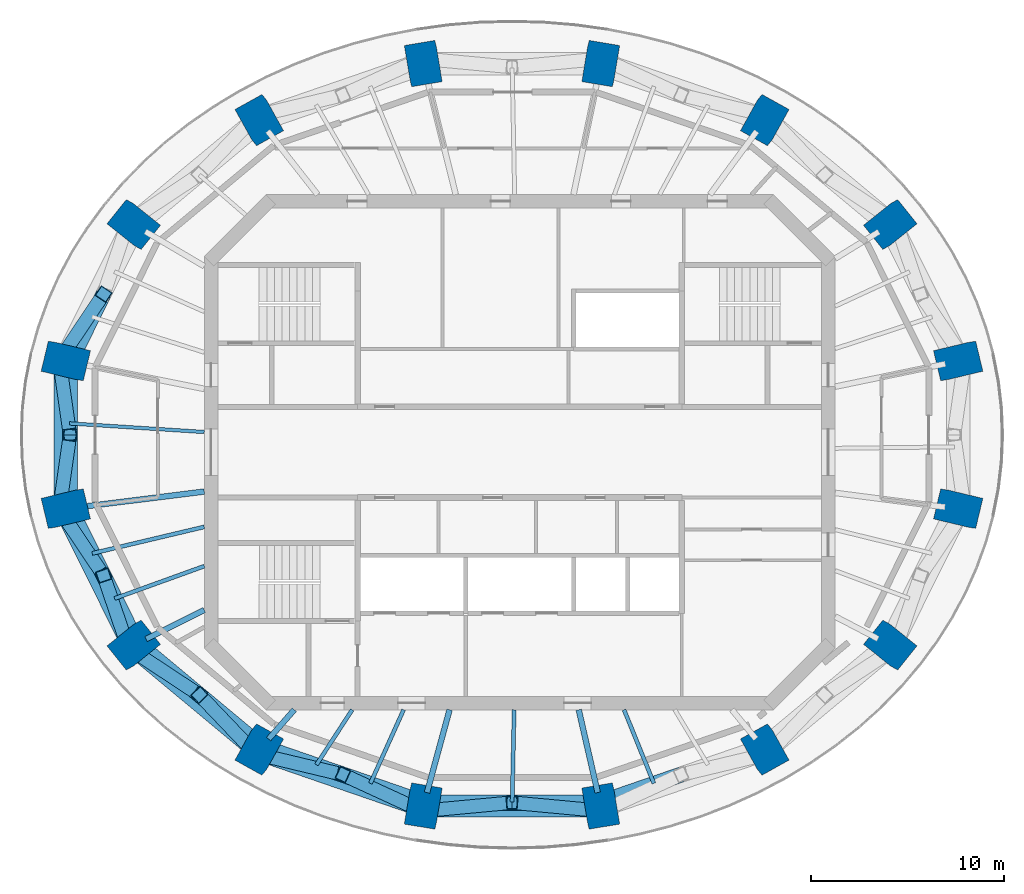
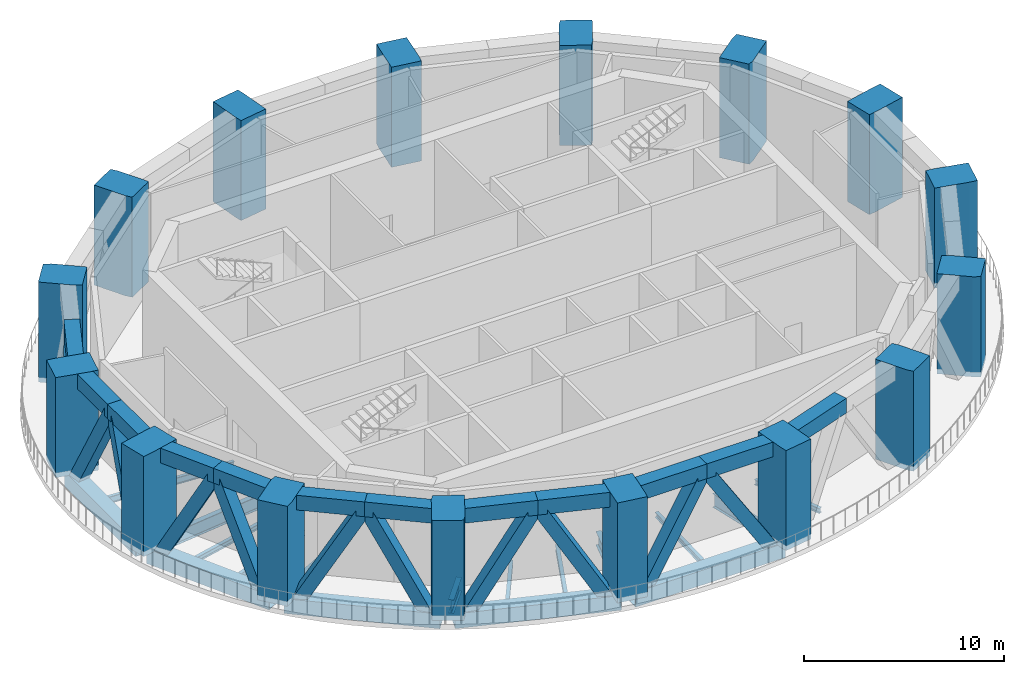
# One storey, part 1 of 9: 28 members, 16 columns, 12 beams.
"""IFC4 building model written with IfcOpenShell, lengths in metres."""

import ifcopenshell
import ifcopenshell.guid

model = None  # the IFC model being written
_history = None  # IfcOwnerHistory: only IFC2X3 demands one
_inside = {}  # id of a spatial element -> (the spatial element, [elements in it])
_under = {}  # id of a project, library or spatial element -> (it, [spatial elements below it])
_declared = {}  # id of a project -> (the project, [libraries it declares])
_typed = {}  # id of a type object -> (the type object, [elements of that type])
_made_of = {}  # id of a material, layer set ... -> (it, [elements and type objects made of it])


def new_model(schema):
    """Start an empty IFC model of exactly this schema.

    Asked for "IFC4X3", IfcOpenShell would pick the latest addendum, in which some entities
    have other attributes; the version numbers below select the first issue.
    IFC2X3 requires an IfcOwnerHistory on every rooted entity: one is made here for all.
    """
    global model, _history
    if schema == "IFC4X3":
        model = ifcopenshell.file(schema_version=(4, 3, 0, 0))
    else:
        model = ifcopenshell.file(schema=schema)
    _inside.clear()
    _under.clear()
    _declared.clear()
    _typed.clear()
    _made_of.clear()
    _history = None
    if model.schema == "IFC2X3":
        org = make("IfcOrganization", Name="unknown")
        user = make(
            "IfcPersonAndOrganization",
            ThePerson=make("IfcPerson", FamilyName="unknown"),
            TheOrganization=org,
        )
        app = make(
            "IfcApplication",
            ApplicationDeveloper=org,
            Version="unknown",
            ApplicationFullName="unknown",
            ApplicationIdentifier="unknown",
        )
        _history = make(
            "IfcOwnerHistory",
            OwningUser=user,
            OwningApplication=app,
            ChangeAction="ADDED",
            CreationDate=0,
        )
    return model


def make(cls, **values):
    """One entity of the class cls with the attributes given. An attribute that is None is left unset."""
    return model.create_entity(
        cls, **{name: value for name, value in values.items() if value is not None}
    )


def rooted(cls, **values):
    """An entity with a GlobalId (a new one), such as an element, a storey or a relation."""
    return make(cls, GlobalId=ifcopenshell.guid.new(), OwnerHistory=_history, **values)


def si_unit(unit_type, name, prefix=None):
    """IfcSIUnit, for example si_unit("LENGTHUNIT", "METRE", prefix="MILLI")."""
    return make("IfcSIUnit", UnitType=unit_type, Prefix=prefix, Name=name)


def assignment(units):
    """IfcUnitAssignment: the units of a project."""
    return None if units is None else make("IfcUnitAssignment", Units=units)


def point(xyz):
    """IfcCartesianPoint."""
    return None if xyz is None else make("IfcCartesianPoint", Coordinates=xyz)


def direction(xyz):
    """IfcDirection."""
    return None if xyz is None else make("IfcDirection", DirectionRatios=xyz)


def frame(location, z_axis=None, x_axis=None):
    """IfcAxis2Placement3D, a coordinate frame: its origin and axes. An axis left out is left unset."""
    return make(
        "IfcAxis2Placement3D",
        Location=point(location),
        Axis=direction(z_axis),
        RefDirection=direction(x_axis),
    )


def frame_2d(location, x_axis=None):
    """IfcAxis2Placement2D, a coordinate frame in the plane: its origin and x axis."""
    return make(
        "IfcAxis2Placement2D", Location=point(location), RefDirection=direction(x_axis)
    )


def origin():
    """The frame at (0, 0, 0) with its axes left unset."""
    return frame((0.0, 0.0, 0.0))


def origin_2d():
    """The frame at (0, 0) in the plane with its x axis left unset."""
    return frame_2d((0.0, 0.0))


def place(relative_to, where):
    """IfcLocalPlacement: puts the frame where relative to a parent placement (None: the world)."""
    return make(
        "IfcLocalPlacement", PlacementRelTo=relative_to, RelativePlacement=where
    )


def context(
    kind, dimensions, precision=None, world=None, true_north=None, identifier=None
):
    """IfcGeometricRepresentationContext, for example the 3D "Model" context."""
    return make(
        "IfcGeometricRepresentationContext",
        ContextIdentifier=identifier,
        ContextType=kind,
        CoordinateSpaceDimension=dimensions,
        Precision=precision,
        WorldCoordinateSystem=world,
        TrueNorth=true_north,
    )


def subcontext(parent, identifier, kind, view, scale=None):
    """IfcGeometricRepresentationSubContext, for example "Body" below "Model"."""
    return make(
        "IfcGeometricRepresentationSubContext",
        ContextIdentifier=identifier,
        ContextType=kind,
        ParentContext=parent,
        TargetScale=scale,
        TargetView=view,
    )


def project(units=None, contexts=None):
    """IfcProject with its units and contexts."""
    return rooted(
        "IfcProject",
        Name="project",
        RepresentationContexts=contexts,
        UnitsInContext=assignment(units),
    )


def spatial(cls, under=None, at=None, **own):
    """A site, building, storey or space (cls), placed at a placement, below another one or the project."""
    s = rooted(cls, ObjectPlacement=at, **own)
    if under is not None:
        _under.setdefault(under.id(), (under, []))[1].append(s)
    return s


def polyline(points):
    """IfcPolyline through the points."""
    return make("IfcPolyline", Points=[point(p) for p in points])


def profile(cls, at=None, kind="AREA", **sizes):
    """A parametric profile (cls). Its sizes go by their IFC names, for example OverallWidth=200.0."""
    return make(cls, ProfileType=kind, Position=at, **sizes)


def rectangle(**sizes):
    """IfcRectangleProfileDef."""
    return profile("IfcRectangleProfileDef", **sizes)


def hollow_rectangle(**sizes):
    """IfcRectangleHollowProfileDef."""
    return profile("IfcRectangleHollowProfileDef", **sizes)


def i_section(**sizes):
    """IfcIShapeProfileDef."""
    return profile("IfcIShapeProfileDef", **sizes)


def outline(outer, holes=None, kind="AREA"):
    """IfcArbitraryClosedProfileDef: a profile drawn as a closed curve; with holes, ...WithVoids."""
    if holes is None:
        return make("IfcArbitraryClosedProfileDef", ProfileType=kind, OuterCurve=outer)
    return make(
        "IfcArbitraryProfileDefWithVoids",
        ProfileType=kind,
        OuterCurve=outer,
        InnerCurves=holes,
    )


def extrude(swept, where, along, depth):
    """IfcExtrudedAreaSolid: the profile swept, set in the frame where, extruded along a direction by depth."""
    return make(
        "IfcExtrudedAreaSolid",
        SweptArea=swept,
        Position=where,
        ExtrudedDirection=direction(along),
        Depth=depth,
    )


def shape(context_of_items, identifier, shape_type, items):
    """IfcShapeRepresentation: the items that make up one representation, for example the "Body"."""
    return make(
        "IfcShapeRepresentation",
        ContextOfItems=context_of_items,
        RepresentationIdentifier=identifier,
        RepresentationType=shape_type,
        Items=items,
    )


def material(Name=None, Category=None):
    """IfcMaterial."""
    return make("IfcMaterial", Name=Name, Category=Category)


def material_profile(
    of_material, cross_section, Name=None, Category=None, Priority=None
):
    """IfcMaterialProfile: a cross section and its material."""
    return make(
        "IfcMaterialProfile",
        Name=Name,
        Material=of_material,
        Profile=cross_section,
        Priority=Priority,
        Category=Category,
    )


def profile_set(profiles, Name=None, composite=None):
    """IfcMaterialProfileSet."""
    return make(
        "IfcMaterialProfileSet",
        Name=Name,
        MaterialProfiles=profiles,
        CompositeProfile=composite,
    )


def made_of(thing, what):
    """Note that an element or type object is made of a material, layer set ...; save() writes the relation."""
    if what is not None:
        _made_of.setdefault(what.id(), (what, []))[1].append(thing)
    return thing


def type_object(cls, material=None, **own):
    """A type object (cls), such as IfcWallType, which elements share."""
    return made_of(rooted(cls, **own), material)


def element(
    cls,
    number,
    at=None,
    inside=None,
    cuts=None,
    type_object=None,
    material=None,
    context=None,
    identifier="Body",
    shape_type=None,
    held_by="IfcProductDefinitionShape",
    body=None,
    shapes=None,
    **own,
):
    """One element of the class cls, such as IfcWall. Its Tag is "e" and its number.

    at: its placement. inside: the storey or other place that contains it. cuts: it is an
    opening in that element (IfcRelVoidsElement). A single representation is given by context,
    identifier, shape_type and body (its items); several are given by shapes. held_by: the class
    of the entity that holds the representations. save() writes the other relations.
    """
    e = rooted(cls, Tag="e%d" % number, ObjectPlacement=at, **own)
    if body is not None:
        shapes = [shape(context, identifier, shape_type, body)]
    if shapes is not None:
        e.Representation = make(held_by, Representations=shapes)
    if inside is not None:
        _inside.setdefault(inside.id(), (inside, []))[1].append(e)
    if cuts is not None:
        rooted(
            "IfcRelVoidsElement", RelatingBuildingElement=cuts, RelatedOpeningElement=e
        )
    if type_object is not None:
        _typed.setdefault(type_object.id(), (type_object, []))[1].append(e)
    return made_of(e, material)


def aggregate(whole, parts):
    """IfcRelAggregates: a whole, such as a stair, and the parts it consists of."""
    return rooted("IfcRelAggregates", RelatingObject=whole, RelatedObjects=parts)


def save(model, path):
    """Write the relations noted so far, then the file.

    IfcRelAggregates (storeys below a building ...), IfcRelContainedInSpatialStructure (elements
    in a storey), IfcRelDefinesByType, IfcRelAssociatesMaterial and IfcRelDeclares: one each for
    every whole, place, type object, material and project.
    """
    for whole, parts in _under.values():
        aggregate(whole, parts)
    for where, things in _inside.values():
        rooted(
            "IfcRelContainedInSpatialStructure",
            RelatedElements=things,
            RelatingStructure=where,
        )
    for kind, things in _typed.values():
        rooted("IfcRelDefinesByType", RelatedObjects=things, RelatingType=kind)
    for what, things in _made_of.values():
        rooted("IfcRelAssociatesMaterial", RelatedObjects=things, RelatingMaterial=what)
    for by, libraries in _declared.values():
        rooted("IfcRelDeclares", RelatingContext=by, RelatedDefinitions=libraries)
    model.write(path)


model = new_model("IFC4")

# Units and contexts
model_context = context("Model", 3, precision=1e-05, world=origin(), true_north=direction((0.0, 1.0)))
body_context = subcontext(model_context, "Body", "Model", "MODEL_VIEW")
ifc_project = project(units=[si_unit("LENGTHUNIT", "METRE"), si_unit("AREAUNIT", "SQUARE_METRE"), si_unit("VOLUMEUNIT", "CUBIC_METRE"), si_unit("PLANEANGLEUNIT", "RADIAN"), si_unit("MASSUNIT", "GRAM", prefix="KILO")], contexts=[model_context])

# Site, building, storey
site_placement = place(None, origin())
site = spatial("IfcSite", under=ifc_project, at=site_placement, CompositionType="ELEMENT")
building_placement = place(site_placement, origin())
building = spatial("IfcBuilding", under=site, at=building_placement, Name="Marenthal Gate Tower", CompositionType="ELEMENT")
storey_placement = place(building_placement, frame((0.0, 0.0, 407.550048828125)))
storey = spatial("IfcBuildingStorey", under=building, at=storey_placement, Name="L92", CompositionType="ELEMENT", Elevation=407.550048828125)

# Columns
ifc_material_1 = material(Name="Steel S460", Category="steel")
ifc_material_profile_1 = material_profile(ifc_material_1, hollow_rectangle(XDim=1.60009765625, YDim=1.800048828125, WallThickness=0.044921875, at=origin_2d()), Name="CFT BOX 1800X1600X45")
ifc_material_2 = material(Name="Concrete 70 MPa", Category="concrete")
ifc_material_profile_2 = material_profile(ifc_material_2, rectangle(XDim=1.510009765625, YDim=1.7099609375, at=origin_2d()), Name="CFT BOX 1800X1600X45 INFILL")
ifc_profile_set_1 = profile_set([ifc_material_profile_1, ifc_material_profile_2], Name="Steel S460 shell, Concrete 70 MPa infill")
column_type = type_object("IfcColumnType", Name="CFT BOX 1800X1600X45", PredefinedType="COLUMN", material=ifc_profile_set_1)
column_1_placement = place(storey_placement, frame((0.0, 0.0, -0.300048828125)))
element("IfcColumn", 1, at=column_1_placement, inside=storey, type_object=column_type, Name="COL-L92-01", PredefinedType="COLUMN", context=body_context, shape_type="SweptSolid", body=[
    extrude(outline(polyline([(21.81982421875, 3.7041015625), (21.44775390625, 5.260498046875), (23.198486328125, 5.678955078125), (23.632080078125, 5.750244140625), (24.004150390625, 4.194091796875), (22.25341796875, 3.775390625), (21.81982421875, 3.7041015625)])), origin(), (0.0, 0.0, 1.0), 6.10009765625),
])
column_2_placement = place(storey_placement, frame((0.0, 0.0, -0.300048828125)))
element("IfcColumn", 2, at=column_2_placement, inside=storey, type_object=column_type, Name="COL-L92-02", PredefinedType="COLUMN", context=body_context, shape_type="SweptSolid", body=[
    extrude(outline(polyline([(18.82080078125, 10.51025390625), (17.81884765625, 11.7578125), (19.22216796875, 12.884765625), (19.589599609375, 13.087646484375), (20.591796875, 11.840087890625), (19.188232421875, 10.712890625), (18.82080078125, 10.51025390625)])), origin(), (0.0, 0.0, 1.0), 6.10009765625),
])
column_3_placement = place(storey_placement, frame((0.0, 0.0, -0.300048828125)))
element("IfcColumn", 3, at=column_3_placement, inside=storey, type_object=column_type, Name="COL-L92-03", PredefinedType="COLUMN", context=body_context, shape_type="SweptSolid", body=[
    extrude(outline(polyline([(12.839111328125, 15.88427734375), (11.4404296875, 16.66162109375), (12.31494140625, 18.23486328125), (12.560546875, 18.538330078125), (13.958984375, 17.760986328125), (13.084716796875, 16.187744140625), (12.839111328125, 15.88427734375)])), origin(), (0.0, 0.0, 1.0), 6.10009765625),
])
column_4_placement = place(storey_placement, frame((0.0, 0.0, -0.300048828125)))
element("IfcColumn", 4, at=column_4_placement, inside=storey, type_object=column_type, Name="COL-L92-04", PredefinedType="COLUMN", context=body_context, shape_type="SweptSolid", body=[
    extrude(outline(polyline([(4.79931640625, 18.943115234375), (3.220703125, 19.204345703125), (3.5146484375, 20.97998046875), (3.600830078125, 21.337890625), (5.17919921875, 21.076904296875), (4.885498046875, 19.301025390625), (4.79931640625, 18.943115234375)])), origin(), (0.0, 0.0, 1.0), 6.10009765625),
])
column_5_placement = place(storey_placement, frame((0.0, 0.0, -0.300048828125)))
element("IfcColumn", 5, at=column_5_placement, inside=storey, type_object=column_type, Name="COL-L92-05", PredefinedType="COLUMN", context=body_context, shape_type="SweptSolid", body=[
    extrude(outline(polyline([(-5.59912109375, 18.943115234375), (-5.685302734375, 19.301025390625), (-5.979248046875, 21.076904296875), (-4.40087890625, 21.337890625), (-4.314697265625, 20.97998046875), (-4.020751953125, 19.204345703125), (-5.59912109375, 18.943115234375)])), origin(), (0.0, 0.0, 1.0), 6.10009765625),
])
column_6_placement = place(storey_placement, frame((0.0, 0.0, -0.300048828125)))
element("IfcColumn", 6, at=column_6_placement, inside=storey, type_object=column_type, Name="COL-L92-06", PredefinedType="COLUMN", context=body_context, shape_type="SweptSolid", body=[
    extrude(outline(polyline([(-13.638916015625, 15.88427734375), (-13.884521484375, 16.187744140625), (-14.759033203125, 17.760986328125), (-13.360595703125, 18.538330078125), (-13.114990234375, 18.23486328125), (-12.240478515625, 16.66162109375), (-13.638916015625, 15.88427734375)])), origin(), (0.0, 0.0, 1.0), 6.10009765625),
])
column_7_placement = place(storey_placement, frame((0.0, 0.0, -0.300048828125)))
element("IfcColumn", 7, at=column_7_placement, inside=storey, type_object=column_type, Name="COL-L92-07", PredefinedType="COLUMN", context=body_context, shape_type="SweptSolid", body=[
    extrude(outline(polyline([(-19.620849609375, 10.51025390625), (-19.98828125, 10.712890625), (-21.3916015625, 11.840087890625), (-20.3896484375, 13.087646484375), (-20.022216796875, 12.884765625), (-18.618896484375, 11.7578125), (-19.620849609375, 10.51025390625)])), origin(), (0.0, 0.0, 1.0), 6.10009765625),
])
column_8_placement = place(storey_placement, frame((0.0, 0.0, -0.300048828125)))
element("IfcColumn", 8, at=column_8_placement, inside=storey, type_object=column_type, Name="COL-L92-08", PredefinedType="COLUMN", context=body_context, shape_type="SweptSolid", body=[
    extrude(outline(polyline([(-22.619873046875, 3.7041015625), (-23.053466796875, 3.775390625), (-24.80419921875, 4.194091796875), (-24.431884765625, 5.750244140625), (-23.99853515625, 5.678955078125), (-22.247802734375, 5.260498046875), (-22.619873046875, 3.7041015625)])), origin(), (0.0, 0.0, 1.0), 6.10009765625),
])
column_9_placement = place(storey_placement, frame((0.0, 0.0, -0.300048828125)))
element("IfcColumn", 9, at=column_9_placement, inside=storey, type_object=column_type, Name="COL-L92-09", PredefinedType="COLUMN", context=body_context, shape_type="SweptSolid", body=[
    extrude(outline(polyline([(-24.431884765625, -3.9501953125), (-24.80419921875, -2.39404296875), (-23.053466796875, -1.975341796875), (-22.619873046875, -1.904296875), (-22.247802734375, -3.46044921875), (-23.99853515625, -3.87890625), (-24.431884765625, -3.9501953125)])), origin(), (0.0, 0.0, 1.0), 6.10009765625),
])
column_10_placement = place(storey_placement, frame((0.0, 0.0, -0.300048828125)))
element("IfcColumn", 10, at=column_10_placement, inside=storey, type_object=column_type, Name="COL-L92-10", PredefinedType="COLUMN", context=body_context, shape_type="SweptSolid", body=[
    extrude(outline(polyline([(-20.3896484375, -11.28759765625), (-21.3916015625, -10.0400390625), (-19.98828125, -8.9130859375), (-19.620849609375, -8.710205078125), (-18.618896484375, -9.957763671875), (-20.022216796875, -11.084716796875), (-20.3896484375, -11.28759765625)])), origin(), (0.0, 0.0, 1.0), 6.10009765625),
])
column_11_placement = place(storey_placement, frame((0.0, 0.0, -0.300048828125)))
element("IfcColumn", 11, at=column_11_placement, inside=storey, type_object=column_type, Name="COL-L92-11", PredefinedType="COLUMN", context=body_context, shape_type="SweptSolid", body=[
    extrude(outline(polyline([(-13.360595703125, -16.73828125), (-14.759033203125, -15.9609375), (-13.884521484375, -14.3876953125), (-13.638916015625, -14.084228515625), (-12.240478515625, -14.86181640625), (-13.114990234375, -16.434814453125), (-13.360595703125, -16.73828125)])), origin(), (0.0, 0.0, 1.0), 6.10009765625),
])
column_12_placement = place(storey_placement, frame((0.0, 0.0, -0.300048828125)))
element("IfcColumn", 12, at=column_12_placement, inside=storey, type_object=column_type, Name="COL-L92-12", PredefinedType="COLUMN", context=body_context, shape_type="SweptSolid", body=[
    extrude(outline(polyline([(-4.40087890625, -19.5380859375), (-5.979248046875, -19.27685546875), (-5.685302734375, -17.5009765625), (-5.59912109375, -17.14306640625), (-4.020751953125, -17.404296875), (-4.314697265625, -19.18017578125), (-4.40087890625, -19.5380859375)])), origin(), (0.0, 0.0, 1.0), 6.10009765625),
])
column_13_placement = place(storey_placement, frame((0.0, 0.0, -0.300048828125)))
element("IfcColumn", 13, at=column_13_placement, inside=storey, type_object=column_type, Name="COL-L92-13", PredefinedType="COLUMN", context=body_context, shape_type="SweptSolid", body=[
    extrude(outline(polyline([(3.600830078125, -19.5380859375), (3.5146484375, -19.18017578125), (3.220703125, -17.404296875), (4.79931640625, -17.14306640625), (4.885498046875, -17.5009765625), (5.17919921875, -19.27685546875), (3.600830078125, -19.5380859375)])), origin(), (0.0, 0.0, 1.0), 6.10009765625),
])
column_14_placement = place(storey_placement, frame((0.0, 0.0, -0.300048828125)))
element("IfcColumn", 14, at=column_14_placement, inside=storey, type_object=column_type, Name="COL-L92-14", PredefinedType="COLUMN", context=body_context, shape_type="SweptSolid", body=[
    extrude(outline(polyline([(12.560546875, -16.73828125), (12.31494140625, -16.434814453125), (11.4404296875, -14.86181640625), (12.839111328125, -14.084228515625), (13.084716796875, -14.3876953125), (13.958984375, -15.9609375), (12.560546875, -16.73828125)])), origin(), (0.0, 0.0, 1.0), 6.10009765625),
])
column_15_placement = place(storey_placement, frame((0.0, 0.0, -0.300048828125)))
element("IfcColumn", 15, at=column_15_placement, inside=storey, type_object=column_type, Name="COL-L92-15", PredefinedType="COLUMN", context=body_context, shape_type="SweptSolid", body=[
    extrude(outline(polyline([(19.589599609375, -11.28759765625), (19.22216796875, -11.084716796875), (17.81884765625, -9.957763671875), (18.82080078125, -8.710205078125), (19.188232421875, -8.9130859375), (20.591796875, -10.0400390625), (19.589599609375, -11.28759765625)])), origin(), (0.0, 0.0, 1.0), 6.10009765625),
])
column_16_placement = place(storey_placement, frame((0.0, 0.0, -0.300048828125)))
element("IfcColumn", 16, at=column_16_placement, inside=storey, type_object=column_type, Name="COL-L92-16", PredefinedType="COLUMN", context=body_context, shape_type="SweptSolid", body=[
    extrude(outline(polyline([(23.632080078125, -3.9501953125), (23.198486328125, -3.87890625), (21.44775390625, -3.46044921875), (21.81982421875, -1.904296875), (22.25341796875, -1.975341796875), (24.004150390625, -2.39404296875), (23.632080078125, -3.9501953125)])), origin(), (0.0, 0.0, 1.0), 6.10009765625),
])

# Beams
ifc_material_3 = material(Name="Steel S355", Category="steel")
ifc_material_profile_3 = material_profile(ifc_material_3, i_section(OverallWidth=0.205078125, OverallDepth=0.31005859375, WebThickness=0.009521484375, FlangeThickness=0.016357421875, FilletRadius=0.0126953125, at=origin_2d()), Name="W310X74")
ifc_profile_set_2 = profile_set([ifc_material_profile_3], Name="Steel S355")
beam_type_1 = type_object("IfcBeamType", Name="W310X74 beam", PredefinedType="BEAM", material=ifc_profile_set_2)
beam_1_placement = place(storey_placement, frame((-22.158447265625, -5.247314453125, -0.455078125), z_axis=(0.973086804515, 0.230438865816, 0.0), x_axis=(-0.230438865816, 0.973086804515, 0.0)))
element("IfcBeam", 17, at=beam_1_placement, inside=storey, type_object=beam_type_1, Name="BM-L92-28", PredefinedType="BEAM", context=body_context, shape_type="SweptSolid", body=[
    extrude(i_section(OverallWidth=0.205078125, OverallDepth=0.31005859375, WebThickness=0.009521484375, FlangeThickness=0.016357421875, FilletRadius=0.0126953125, at=origin_2d()), origin(), (0.0, 0.0, 1.0), 5.968994140625),
])
beam_2_placement = place(storey_placement, frame((-20.994873046875, -7.584228515625, -0.455078125), z_axis=(0.940524504384, 0.339725855145, 0.0), x_axis=(-0.339725855145, 0.940524504384, 0.0)))
element("IfcBeam", 18, at=beam_2_placement, inside=storey, type_object=beam_type_1, Name="BM-L92-29", PredefinedType="BEAM", context=body_context, shape_type="SweptSolid", body=[
    extrude(i_section(OverallWidth=0.205078125, OverallDepth=0.31005859375, WebThickness=0.009521484375, FlangeThickness=0.016357421875, FilletRadius=0.0126953125, at=origin_2d()), origin(), (0.0, 0.0, 1.0), 4.9384765625),
])
beam_3_placement = place(storey_placement, frame((-10.5380859375, -16.202880859375, -0.455078125), z_axis=(0.54522788366, 0.838287871127, 0.0), x_axis=(-0.838287871127, 0.54522788366, 0.0)))
element("IfcBeam", 19, at=beam_3_placement, inside=storey, type_object=beam_type_1, Name="BM-L92-30", PredefinedType="BEAM", context=body_context, shape_type="SweptSolid", body=[
    extrude(i_section(OverallWidth=0.205078125, OverallDepth=0.31005859375, WebThickness=0.009521484375, FlangeThickness=0.016357421875, FilletRadius=0.0126953125, at=origin_2d()), origin(), (0.0, 0.0, 1.0), 3.403076171875),
])
beam_4_placement = place(storey_placement, frame((-7.73779296875, -17.167724609375, -0.455078125), z_axis=(0.410914899136, 0.911673705702, 0.0), x_axis=(-0.911673705702, 0.410914899136, 0.0)))
element("IfcBeam", 20, at=beam_4_placement, inside=storey, type_object=beam_type_1, Name="BM-L92-31", PredefinedType="BEAM", context=body_context, shape_type="SweptSolid", body=[
    extrude(i_section(OverallWidth=0.205078125, OverallDepth=0.31005859375, WebThickness=0.009521484375, FlangeThickness=0.016357421875, FilletRadius=0.0126953125, at=origin_2d()), origin(), (0.0, 0.0, 1.0), 4.1875),
])
beam_5_placement = place(storey_placement, frame((-0.391357421875, -18.119384765625, -0.455078125), z_axis=(0.021597213707, 0.999766752978, 0.0), x_axis=(-0.999766752978, 0.021597213707, 0.0)))
element("IfcBeam", 21, at=beam_5_placement, inside=storey, type_object=beam_type_1, Name="BM-L92-32", PredefinedType="BEAM", context=body_context, shape_type="SweptSolid", body=[
    extrude(i_section(OverallWidth=0.205078125, OverallDepth=0.31005859375, WebThickness=0.009521484375, FlangeThickness=0.016357421875, FilletRadius=0.0126953125, at=origin_2d()), origin(), (0.0, 0.0, 1.0), 4.7705078125),
])
beam_6_placement = place(storey_placement, frame((6.952392578125, -17.16259765625, -0.455078125), z_axis=(-0.37545986889, 0.926838652006, 0.0), x_axis=(-0.926838652006, -0.37545986889, 0.0)))
element("IfcBeam", 22, at=beam_6_placement, inside=storey, type_object=beam_type_1, Name="BM-L92-33", PredefinedType="BEAM", context=body_context, shape_type="SweptSolid", body=[
    extrude(i_section(OverallWidth=0.205078125, OverallDepth=0.31005859375, WebThickness=0.009521484375, FlangeThickness=0.016357421875, FilletRadius=0.0126953125, at=origin_2d()), origin(), (0.0, 0.0, 1.0), 4.113525390625),
])
ifc_material_4 = material(Name="Steel S355", Category="steel")
ifc_material_profile_4 = material_profile(ifc_material_4, i_section(OverallWidth=0.180908203125, OverallDepth=0.4169921875, WebThickness=0.010986328125, FlangeThickness=0.018310546875, FilletRadius=0.01025390625, at=origin_2d()), Name="W410X85")
ifc_profile_set_3 = profile_set([ifc_material_profile_4], Name="Steel S355")
beam_type_2 = type_object("IfcBeamType", Name="W410X85 beam", PredefinedType="BEAM", material=ifc_profile_set_3)
beam_7_placement = place(storey_placement, frame((-23.3427734375, 1.492431640625, -0.508544921875), z_axis=(0.997962904526, -0.063796874457, 0.0), x_axis=(0.063796874457, 0.997962904526, 0.0)))
element("IfcBeam", 23, at=beam_7_placement, inside=storey, type_object=beam_type_2, Name="BM-L92-27", PredefinedType="BEAM", context=body_context, shape_type="SweptSolid", body=[
    extrude(i_section(OverallWidth=0.180908203125, OverallDepth=0.4169921875, WebThickness=0.010986328125, FlangeThickness=0.018310546875, FilletRadius=0.01025390625, at=origin_2d()), origin(), (0.0, 0.0, 1.0), 7.0068359375),
])
ifc_material_5 = material(Name="Steel S355", Category="steel")
ifc_material_profile_5 = material_profile(ifc_material_5, i_section(OverallWidth=0.2919921875, OverallDepth=0.841064453125, WebThickness=0.0146484375, FlangeThickness=0.021728515625, FilletRadius=0.017822265625, at=origin_2d()), Name="W840X193")
ifc_profile_set_4 = profile_set([ifc_material_profile_5], Name="Steel S355")
beam_type_3 = type_object("IfcBeamType", Name="W840X193 beam", PredefinedType="BEAM", material=ifc_profile_set_4)
beam_8_placement = place(storey_placement, frame((-22.843994140625, -2.8505859375, -0.720458984375), z_axis=(0.992304828424, 0.123818930243, 0.0), x_axis=(-0.123818930243, 0.992304828424, 0.0)))
element("IfcBeam", 24, at=beam_8_placement, inside=storey, type_object=beam_type_3, Name="BM-L92-09", PredefinedType="BEAM", context=body_context, shape_type="SweptSolid", body=[
    extrude(i_section(OverallWidth=0.2919921875, OverallDepth=0.841064453125, WebThickness=0.0146484375, FlangeThickness=0.021728515625, FilletRadius=0.017822265625, at=origin_2d()), origin(), (0.0, 0.0, 1.0), 6.544189453125),
])
beam_9_placement = place(storey_placement, frame((-19.365478515625, -9.688232421875, -0.720458984375), z_axis=(0.894325795168, 0.447416329717, 0.0), x_axis=(-0.447416329717, 0.894325795168, 0.0)))
element("IfcBeam", 25, at=beam_9_placement, inside=storey, type_object=beam_type_3, Name="BM-L92-10", PredefinedType="BEAM", context=body_context, shape_type="SweptSolid", body=[
    extrude(i_section(OverallWidth=0.2919921875, OverallDepth=0.841064453125, WebThickness=0.0146484375, FlangeThickness=0.021728515625, FilletRadius=0.017822265625, at=origin_2d()), origin(), (0.0, 0.0, 1.0), 3.37158203125),
])
beam_10_placement = place(storey_placement, frame((-13.016357421875, -14.870361328125, -0.720458984375), z_axis=(0.658735533552, 0.752374572162, 0.0), x_axis=(-0.752374572162, 0.658735533552, 0.0)))
element("IfcBeam", 26, at=beam_10_placement, inside=storey, type_object=beam_type_3, Name="BM-L92-11", PredefinedType="BEAM", context=body_context, shape_type="SweptSolid", body=[
    extrude(i_section(OverallWidth=0.2919921875, OverallDepth=0.841064453125, WebThickness=0.0146484375, FlangeThickness=0.021728515625, FilletRadius=0.017822265625, at=origin_2d()), origin(), (0.0, 0.0, 1.0), 2.0205078125),
])
beam_11_placement = place(storey_placement, frame((-4.805419921875, -17.646484375, -0.720458984375), z_axis=(0.262736961651, 0.964867498148, 0.0), x_axis=(-0.964867498148, 0.262736961651, 0.0)))
element("IfcBeam", 27, at=beam_11_placement, inside=storey, type_object=beam_type_3, Name="BM-L92-12", PredefinedType="BEAM", context=body_context, shape_type="SweptSolid", body=[
    extrude(i_section(OverallWidth=0.2919921875, OverallDepth=0.841064453125, WebThickness=0.0146484375, FlangeThickness=0.021728515625, FilletRadius=0.017822265625, at=origin_2d()), origin(), (0.0, 0.0, 1.0), 4.452880859375),
])
beam_12_placement = place(storey_placement, frame((4.041748046875, -17.640625, -0.720458984375), z_axis=(-0.223356394836, 0.974736846993, 0.0), x_axis=(-0.974736846993, -0.223356394836, 0.0)))
element("IfcBeam", 28, at=beam_12_placement, inside=storey, type_object=beam_type_3, Name="BM-L92-13", PredefinedType="BEAM", context=body_context, shape_type="SweptSolid", body=[
    extrude(i_section(OverallWidth=0.2919921875, OverallDepth=0.841064453125, WebThickness=0.0146484375, FlangeThickness=0.021728515625, FilletRadius=0.017822265625, at=origin_2d()), origin(), (0.0, 0.0, 1.0), 4.401611328125),
])

# Members
ifc_material_6 = material(Name="Steel S460", Category="steel")
ifc_material_profile_6 = material_profile(ifc_material_6, hollow_rectangle(XDim=0.800048828125, YDim=0.89990234375, WallThickness=0.050048828125, at=origin_2d()), Name="BOX 900X800X50")
ifc_profile_set_5 = profile_set([ifc_material_profile_6], Name="Steel S460")
member_type_1 = type_object("IfcMemberType", Name="belt chord BOX 900X800X50", PredefinedType="CHORD", material=ifc_profile_set_5)
member_1_placement = place(storey_placement, frame((-21.56494140625, 8.195556640625, 5.349853515625), z_axis=(-0.445609281276, -0.895227551207, 0.0), x_axis=(0.895227551207, -0.445609281276, 0.0)))
element("IfcMember", 29, at=member_1_placement, inside=storey, type_object=member_type_1, Name="BT-L92-33", PredefinedType="CHORD", context=body_context, shape_type="SweptSolid", body=[
    extrude(hollow_rectangle(XDim=0.800048828125, YDim=0.89990234375, WallThickness=0.050048828125, at=origin_2d()), origin(), (0.0, 0.0, 1.0), 3.593017578125),
])
member_2_placement = place(storey_placement, frame((-23.74267578125, 4.440185546875, -0.75), z_axis=(0.0, -1.0, 0.0), x_axis=(1.0, 0.0, 0.0)))
element("IfcMember", 30, at=member_2_placement, inside=storey, type_object=member_type_1, Name="BT-L92-36", PredefinedType="CHORD", context=body_context, shape_type="SweptSolid", body=[
    extrude(hollow_rectangle(XDim=0.800048828125, YDim=0.89990234375, WallThickness=0.050048828125, at=origin_2d()), origin(), (0.0, 0.0, 1.0), 7.08056640625),
])
member_3_placement = place(storey_placement, frame((-23.30908203125, 4.369140625, 5.349853515625), z_axis=(0.0, -1.0, 0.0), x_axis=(1.0, 0.0, 0.0)))
element("IfcMember", 31, at=member_3_placement, inside=storey, type_object=member_type_1, Name="BT-L92-37", PredefinedType="CHORD", context=body_context, shape_type="SweptSolid", body=[
    extrude(hollow_rectangle(XDim=0.800048828125, YDim=0.89990234375, WallThickness=0.050048828125, at=origin_2d()), origin(), (0.0, 0.0, 1.0), 3.46923828125),
])
member_4_placement = place(storey_placement, frame((-23.30908203125, 0.89990234375, 5.349853515625), z_axis=(0.0, -1.0, 0.0), x_axis=(1.0, 0.0, 0.0)))
element("IfcMember", 32, at=member_4_placement, inside=storey, type_object=member_type_1, Name="BT-L92-38", PredefinedType="CHORD", context=body_context, shape_type="SweptSolid", body=[
    extrude(hollow_rectangle(XDim=0.800048828125, YDim=0.89990234375, WallThickness=0.050048828125, at=origin_2d()), origin(), (0.0, 0.0, 1.0), 3.468994140625),
])
member_5_placement = place(storey_placement, frame((-23.599609375, -3.250244140625, -0.75), z_axis=(0.445708181457, -0.895178315746, 0.0), x_axis=(0.895178315746, 0.445708181457, 0.0)))
element("IfcMember", 33, at=member_5_placement, inside=storey, type_object=member_type_1, Name="BT-L92-41", PredefinedType="CHORD", context=body_context, shape_type="SweptSolid", body=[
    extrude(hollow_rectangle(XDim=0.800048828125, YDim=0.89990234375, WallThickness=0.050048828125, at=origin_2d()), origin(), (0.0, 0.0, 1.0), 7.33349609375),
])
member_6_placement = place(storey_placement, frame((-23.166015625, -3.17919921875, 5.349853515625), z_axis=(0.445636389036, -0.895214057512, 0.0), x_axis=(0.895214057512, 0.445636389036, 0.0)))
element("IfcMember", 34, at=member_6_placement, inside=storey, type_object=member_type_1, Name="BT-L92-42", PredefinedType="CHORD", context=body_context, shape_type="SweptSolid", body=[
    extrude(hollow_rectangle(XDim=0.800048828125, YDim=0.89990234375, WallThickness=0.050048828125, at=origin_2d()), origin(), (0.0, 0.0, 1.0), 3.5927734375),
])
member_7_placement = place(storey_placement, frame((-21.56494140625, -6.3955078125, 5.349853515625), z_axis=(0.445663735299, -0.895200444057, 0.0), x_axis=(0.895200444057, 0.445663735299, 0.0)))
element("IfcMember", 35, at=member_7_placement, inside=storey, type_object=member_type_1, Name="BT-L92-43", PredefinedType="CHORD", context=body_context, shape_type="SweptSolid", body=[
    extrude(hollow_rectangle(XDim=0.800048828125, YDim=0.89990234375, WallThickness=0.050048828125, at=origin_2d()), origin(), (0.0, 0.0, 1.0), 3.593017578125),
])
member_8_placement = place(storey_placement, frame((-19.94580078125, -10.302490234375, -0.75), z_axis=(0.768739567401, -0.639561941889, 0.0), x_axis=(0.639561941889, 0.768739567401, 0.0)))
element("IfcMember", 36, at=member_8_placement, inside=storey, type_object=member_type_1, Name="BT-L92-46", PredefinedType="CHORD", context=body_context, shape_type="SweptSolid", body=[
    extrude(hollow_rectangle(XDim=0.800048828125, YDim=0.89990234375, WallThickness=0.050048828125, at=origin_2d()), origin(), (0.0, 0.0, 1.0), 7.911376953125),
])
member_9_placement = place(storey_placement, frame((-19.578369140625, -10.099853515625, 5.349853515625), z_axis=(0.768706297247, -0.639601929776, 0.0), x_axis=(0.639601929776, 0.768706297247, 0.0)))
element("IfcMember", 37, at=member_9_placement, inside=storey, type_object=member_type_1, Name="BT-L92-47", PredefinedType="CHORD", context=body_context, shape_type="SweptSolid", body=[
    extrude(hollow_rectangle(XDim=0.800048828125, YDim=0.89990234375, WallThickness=0.050048828125, at=origin_2d()), origin(), (0.0, 0.0, 1.0), 3.876708984375),
])
member_10_placement = place(storey_placement, frame((-16.598388671875, -12.579345703125, 5.349853515625), z_axis=(0.768737261609, -0.63956471339, 0.0), x_axis=(0.63956471339, 0.768737261609, 0.0)))
element("IfcMember", 38, at=member_10_placement, inside=storey, type_object=member_type_1, Name="BT-L92-48", PredefinedType="CHORD", context=body_context, shape_type="SweptSolid", body=[
    extrude(hollow_rectangle(XDim=0.800048828125, YDim=0.89990234375, WallThickness=0.050048828125, at=origin_2d()), origin(), (0.0, 0.0, 1.0), 3.87646484375),
])
member_11_placement = place(storey_placement, frame((-13.3271484375, -15.664794921875, -0.75), z_axis=(0.945433752615, -0.325814394121, 0.0), x_axis=(0.325814394121, 0.945433752615, 0.0)))
element("IfcMember", 39, at=member_11_placement, inside=storey, type_object=member_type_1, Name="BT-L92-51", PredefinedType="CHORD", context=body_context, shape_type="SweptSolid", body=[
    extrude(hollow_rectangle(XDim=0.800048828125, YDim=0.89990234375, WallThickness=0.050048828125, at=origin_2d()), origin(), (0.0, 0.0, 1.0), 8.450927734375),
])
member_12_placement = place(storey_placement, frame((-13.08154296875, -15.361328125, 5.349853515625), z_axis=(0.94542121384, -0.325850776309, 0.0), x_axis=(0.325850776309, 0.94542121384, 0.0)))
element("IfcMember", 40, at=member_12_placement, inside=storey, type_object=member_type_1, Name="BT-L92-52", PredefinedType="CHORD", context=body_context, shape_type="SweptSolid", body=[
    extrude(hollow_rectangle(XDim=0.800048828125, YDim=0.89990234375, WallThickness=0.050048828125, at=origin_2d()), origin(), (0.0, 0.0, 1.0), 4.14111328125),
])
member_13_placement = place(storey_placement, frame((-9.16650390625, -16.710693359375, 5.349853515625), z_axis=(0.945427473208, -0.325832614855, 0.0), x_axis=(0.325832614855, 0.945427473208, 0.0)))
element("IfcMember", 41, at=member_13_placement, inside=storey, type_object=member_type_1, Name="BT-L92-53", PredefinedType="CHORD", context=body_context, shape_type="SweptSolid", body=[
    extrude(hollow_rectangle(XDim=0.800048828125, YDim=0.89990234375, WallThickness=0.050048828125, at=origin_2d()), origin(), (0.0, 0.0, 1.0), 4.141357421875),
])
member_14_placement = place(storey_placement, frame((-4.732177734375, -18.51953125, -0.75), z_axis=(1.0, 0.0, 0.0), x_axis=(0.0, 1.0, 0.0)))
element("IfcMember", 42, at=member_14_placement, inside=storey, type_object=member_type_1, Name="BT-L92-56", PredefinedType="CHORD", context=body_context, shape_type="SweptSolid", body=[
    extrude(hollow_rectangle(XDim=0.800048828125, YDim=0.89990234375, WallThickness=0.050048828125, at=origin_2d()), origin(), (0.0, 0.0, 1.0), 8.664306640625),
])
member_15_placement = place(storey_placement, frame((-4.64599609375, -18.16162109375, 5.349853515625), z_axis=(1.0, 0.0, 0.0), x_axis=(0.0, 1.0, 0.0)))
element("IfcMember", 43, at=member_15_placement, inside=storey, type_object=member_type_1, Name="BT-L92-57", PredefinedType="CHORD", context=body_context, shape_type="SweptSolid", body=[
    extrude(hollow_rectangle(XDim=0.800048828125, YDim=0.89990234375, WallThickness=0.050048828125, at=origin_2d()), origin(), (0.0, 0.0, 1.0), 4.24609375),
])
member_16_placement = place(storey_placement, frame((-0.39990234375, -18.16162109375, 5.349853515625), z_axis=(1.0, 0.0, 0.0), x_axis=(0.0, 1.0, 0.0)))
element("IfcMember", 44, at=member_16_placement, inside=storey, type_object=member_type_1, Name="BT-L92-58", PredefinedType="CHORD", context=body_context, shape_type="SweptSolid", body=[
    extrude(hollow_rectangle(XDim=0.800048828125, YDim=0.89990234375, WallThickness=0.050048828125, at=origin_2d()), origin(), (0.0, 0.0, 1.0), 4.245849609375),
])
member_17_placement = place(storey_placement, frame((4.451416015625, -18.06005859375, 5.349853515625), z_axis=(0.94542121384, 0.325850776309, 0.0), x_axis=(-0.325850776309, 0.94542121384, 0.0)))
element("IfcMember", 45, at=member_17_placement, inside=storey, type_object=member_type_1, Name="BT-L92-62", PredefinedType="CHORD", context=body_context, shape_type="SweptSolid", body=[
    extrude(hollow_rectangle(XDim=0.800048828125, YDim=0.89990234375, WallThickness=0.050048828125, at=origin_2d()), origin(), (0.0, 0.0, 1.0), 4.14111328125),
])
ifc_material_7 = material(Name="Steel S355", Category="steel")
ifc_material_profile_7 = material_profile(ifc_material_7, hollow_rectangle(XDim=0.699951171875, YDim=0.699951171875, WallThickness=0.0400390625, at=origin_2d()), Name="BOX 700X700X40")
ifc_profile_set_6 = profile_set([ifc_material_profile_7], Name="Steel S355")
member_type_2 = type_object("IfcMemberType", Name="belt diagonal BOX 700X700X40", PredefinedType="BRACE", material=ifc_profile_set_6)
member_18_placement = place(storey_placement, frame((-21.56494140625, 8.195556640625, 5.349853515625), z_axis=(-0.262138776941, -0.390329266298, -0.88256802882), x_axis=(0.830161522762, -0.557522955694, 0.0)))
element("IfcMember", 46, at=member_18_placement, inside=storey, type_object=member_type_2, Name="BT-L92-35", PredefinedType="BRACE", context=body_context, shape_type="SweptSolid", body=[
    extrude(hollow_rectangle(XDim=0.699951171875, YDim=0.699951171875, WallThickness=0.0400390625, at=origin_2d()), origin(), (0.0, 0.0, 1.0), 6.911376953125),
])
for number, where, z_axis, x_axis, name in (
    (47, (-23.74267578125, 3.940185546875, -0.75), (0.063490082543, -0.445181305131, 0.89318677497), (0.989982855037, 0.141187629531, 0.0), "BT-L92-39"),
    (48, (-23.30908203125, 0.89990234375, 5.349853515625), (-0.063490082543, -0.445181305131, -0.89318677497), (0.989982855037, -0.141187629531, 0.0), "BT-L92-40"),
):
    element("IfcMember", number, at=place(storey_placement, frame(where, z_axis=z_axis, x_axis=x_axis)), inside=storey, type_object=member_type_2, Name=name, PredefinedType="BRACE", context=body_context, shape_type="SweptSolid", body=[
        extrude(hollow_rectangle(XDim=0.699951171875, YDim=0.699951171875, WallThickness=0.0400390625, at=origin_2d()), origin(), (0.0, 0.0, 1.0), 6.829345703125),
    ])
member_19_placement = place(storey_placement, frame((-23.376708984375, -3.69775390625, -0.75), z_axis=(0.262138776941, -0.390329266298, 0.88256802882), x_axis=(0.830161522762, 0.557522955694, 0.0)))
element("IfcMember", 49, at=member_19_placement, inside=storey, type_object=member_type_2, Name="BT-L92-44", PredefinedType="BRACE", context=body_context, shape_type="SweptSolid", body=[
    extrude(hollow_rectangle(XDim=0.699951171875, YDim=0.699951171875, WallThickness=0.0400390625, at=origin_2d()), origin(), (0.0, 0.0, 1.0), 6.911376953125),
])
member_20_placement = place(storey_placement, frame((-21.56494140625, -6.3955078125, 5.349853515625), z_axis=(0.147371616298, -0.433182157348, -0.88917648713), x_axis=(0.946712993728, 0.322078418257, 0.0)))
element("IfcMember", 50, at=member_20_placement, inside=storey, type_object=member_type_2, Name="BT-L92-45", PredefinedType="BRACE", context=body_context, shape_type="SweptSolid", body=[
    extrude(hollow_rectangle(XDim=0.699951171875, YDim=0.699951171875, WallThickness=0.0400390625, at=origin_2d()), origin(), (0.0, 0.0, 1.0), 6.860107421875),
])
member_21_placement = place(storey_placement, frame((-19.5615234375, -10.622314453125, -0.75), z_axis=(0.419813815106, -0.277270127864, 0.864220826433), x_axis=(0.551109407421, 0.834432993746, 0.0)))
element("IfcMember", 51, at=member_21_placement, inside=storey, type_object=member_type_2, Name="BT-L92-49", PredefinedType="BRACE", context=body_context, shape_type="SweptSolid", body=[
    extrude(hollow_rectangle(XDim=0.699951171875, YDim=0.699951171875, WallThickness=0.0400390625, at=origin_2d()), origin(), (0.0, 0.0, 1.0), 7.05810546875),
])
member_22_placement = place(storey_placement, frame((-16.598388671875, -12.579345703125, 5.349853515625), z_axis=(0.336390694666, -0.352607347375, -0.873217818828), x_axis=(0.723549266914, 0.690272742, 0.0)))
element("IfcMember", 52, at=member_22_placement, inside=storey, type_object=member_type_2, Name="BT-L92-50", PredefinedType="BRACE", context=body_context, shape_type="SweptSolid", body=[
    extrude(hollow_rectangle(XDim=0.699951171875, YDim=0.699951171875, WallThickness=0.0400390625, at=origin_2d()), origin(), (0.0, 0.0, 1.0), 6.985595703125),
])
member_23_placement = place(storey_placement, frame((-12.8544921875, -15.827880859375, -0.75), z_axis=(0.513466010161, -0.122910968671, 0.849261767766), x_axis=(0.232798263766, 0.972525047692, 0.0)))
element("IfcMember", 53, at=member_23_placement, inside=storey, type_object=member_type_2, Name="BT-L92-54", PredefinedType="BRACE", context=body_context, shape_type="SweptSolid", body=[
    extrude(hollow_rectangle(XDim=0.699951171875, YDim=0.699951171875, WallThickness=0.0400390625, at=origin_2d()), origin(), (0.0, 0.0, 1.0), 7.1826171875),
])
member_24_placement = place(storey_placement, frame((-9.16650390625, -16.710693359375, 5.349853515625), z_axis=(0.470619765812, -0.216566570053, -0.855345518935), x_axis=(0.418035412002, 0.908430731709, 0.0)))
element("IfcMember", 54, at=member_24_placement, inside=storey, type_object=member_type_2, Name="BT-L92-55", PredefinedType="BRACE", context=body_context, shape_type="SweptSolid", body=[
    extrude(hollow_rectangle(XDim=0.699951171875, YDim=0.699951171875, WallThickness=0.0400390625, at=origin_2d()), origin(), (0.0, 0.0, 1.0), 7.13134765625),
])
for number, where, z_axis, x_axis, name in (
    (55, (-4.232177734375, -18.51953125, -0.75), (0.53132528786, 0.049622403772, 0.845713341224), (-0.092988980327, 0.995667137922, 0.0), "BT-L92-59"),
    (56, (-0.39990234375, -18.16162109375, 5.349853515625), (0.531300994113, -0.049623296214, -0.84572855109), (0.092994853469, 0.99566658939, 0.0), "BT-L92-60"),
):
    element("IfcMember", number, at=place(storey_placement, frame(where, z_axis=z_axis, x_axis=x_axis)), inside=storey, type_object=member_type_2, Name=name, PredefinedType="BRACE", context=body_context, shape_type="SweptSolid", body=[
        extrude(hollow_rectangle(XDim=0.699951171875, YDim=0.699951171875, WallThickness=0.0400390625, at=origin_2d()), origin(), (0.0, 0.0, 1.0), 7.212646484375),
    ])

save(model, "model.ifc")
